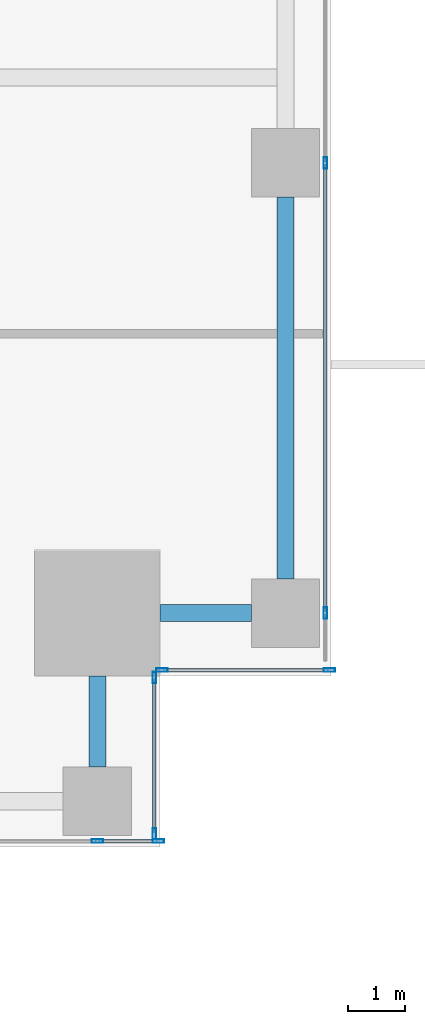
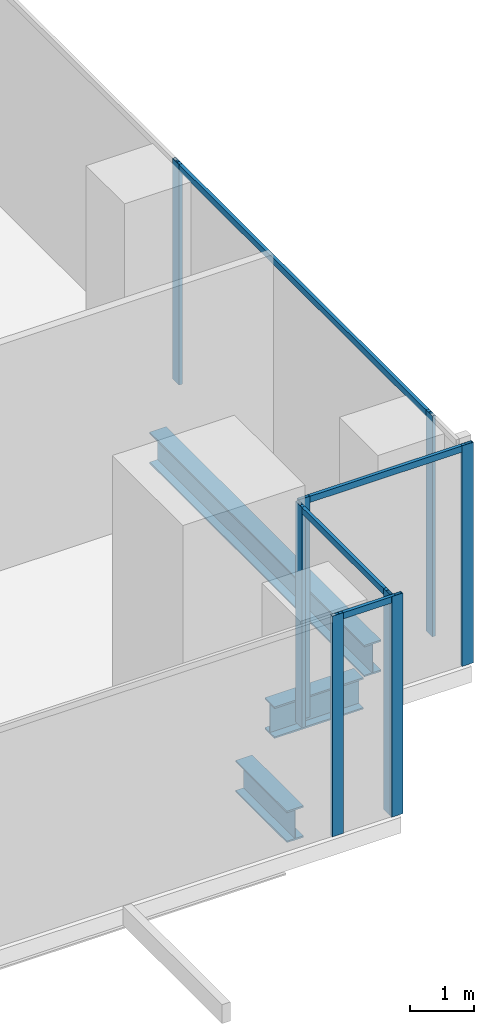
# One storey, part 9 of 33: 12 members, 3 beams, 4 elements without a shape of their own.
"""IFC4 building model written with IfcOpenShell, lengths in metres."""

from ifc_helpers import new_model, si_unit, direction, frame, origin, origin_2d, place, context, subcontext, project, spatial, hollow_rectangle, i_section, extrude, source, transform, mapped, material, material_profile, profile_set, type_object, element, aggregate, save


model = new_model("IFC4")

# Units and contexts
model_context = context("Model", 3, precision=1e-05, world=origin(), true_north=direction((0.0, 1.0)))
body_context = subcontext(model_context, "Body", "Model", "MODEL_VIEW")
ifc_project = project(units=[si_unit("LENGTHUNIT", "METRE"), si_unit("AREAUNIT", "SQUARE_METRE"), si_unit("VOLUMEUNIT", "CUBIC_METRE"), si_unit("PLANEANGLEUNIT", "RADIAN"), si_unit("MASSUNIT", "GRAM", prefix="KILO")], contexts=[model_context])

# Site, building, storey
site_placement = place(None, origin())
site = spatial("IfcSite", under=ifc_project, at=site_placement, CompositionType="ELEMENT")
building_placement = place(site_placement, origin())
building = spatial("IfcBuilding", under=site, at=building_placement, Name="Khomas Fold Tower", CompositionType="ELEMENT")
storey_placement = place(building_placement, frame((0.0, 0.0, 82.5)))
storey = spatial("IfcBuildingStorey", under=building, at=storey_placement, Name="L17", CompositionType="ELEMENT", Elevation=82.5)

# Beams
ifc_material_1 = material(Name="Steel S355", Category="steel")
ifc_material_profile_1 = material_profile(ifc_material_1, i_section(OverallWidth=0.300048828125, OverallDepth=0.60009765625, WebThickness=0.015380859375, FlangeThickness=0.030029296875, at=origin_2d()), Name="HE 600 B")
ifc_profile_set_1 = profile_set([ifc_material_profile_1], Name="Steel S355")
beam_type = type_object("IfcBeamType", Name="HE 600 B spandrel SB1", PredefinedType="SPANDREL", material=ifc_profile_set_1)
shared_shape_1 = source(origin(), body_context, "Body", "SweptSolid", [
    extrude(i_section(OverallWidth=0.300048828125, OverallDepth=0.60009765625, WebThickness=0.015380859375, FlangeThickness=0.030029296875, at=origin_2d()), origin(), (0.0, 0.0, 1.0), 6.699951171875),
])
beam_placement = place(storey_placement, frame((53.199951171875, 4.699951171875, -0.60009765625), z_axis=(0.0, 1.0, 0.0), x_axis=(-1.0, 0.0, 0.0)))
element("IfcBeam", 1, at=beam_placement, inside=storey, type_object=beam_type, Name="SB1", PredefinedType="SPANDREL", context=body_context, shape_type="MappedRepresentation", body=[
    mapped(shared_shape_1, transform((0.0, 0.0, 0.0))),
])
shared_shape_2 = source(origin(), body_context, "Body", "SweptSolid", [
    extrude(i_section(OverallWidth=0.300048828125, OverallDepth=0.60009765625, WebThickness=0.015380859375, FlangeThickness=0.030029296875, at=origin_2d()), origin(), (0.0, 0.0, 1.0), 1.60009765625),
])
for number, where, z_axis, x_axis, name in (
    (2, (49.89990234375, 1.39990234375, -0.60009765625), (0.0, 1.0, 0.0), (-1.0, 0.0, 0.0), "SB1"),
    (3, (51.0, 4.10009765625, -0.60009765625), (1.0, 0.0, 0.0), (0.0, 1.0, 0.0), "SB1"),
):
    element("IfcBeam", number, at=place(storey_placement, frame(where, z_axis=z_axis, x_axis=x_axis)), inside=storey, type_object=beam_type, Name=name, PredefinedType="SPANDREL", context=body_context, shape_type="MappedRepresentation", body=[
        mapped(shared_shape_2, transform((0.0, 0.0, 0.0))),
    ])

# Curtain wall, member
ifc_material_2 = material(Name="Aluminium framed double glazing", Category="aluminium")
curtain_wall_type = type_object("IfcCurtainWallType", Name="SK-Unitised clear-glass wall, growing floors CW1", PredefinedType="NOTDEFINED", material=ifc_material_2)
curtain_wall_1_placement = place(storey_placement, origin())
curtain_wall_1 = element("IfcCurtainWall", 4, at=curtain_wall_1_placement, inside=storey, type_object=curtain_wall_type, Name="CW1 run L17 03-0", PredefinedType="NOTDEFINED")
ifc_material_3 = material(Name="Aluminium", Category="aluminium")
ifc_material_profile_2 = material_profile(ifc_material_3, hollow_rectangle(XDim=0.06005859375, YDim=0.1201171875, WallThickness=0.00390625, at=origin_2d()), Name="SK-Unitised clear-glass wall, growing floors transom CW1-T")
ifc_profile_set_2 = profile_set([ifc_material_profile_2], Name="Aluminium")
member_type_1 = type_object("IfcMemberType", Name="SK-Unitised clear-glass wall, growing floors transom CW1-T", PredefinedType="USERDEFINED", material=ifc_profile_set_2)
shared_shape_3 = source(origin(), body_context, "Body", "SweptSolid", [
    extrude(hollow_rectangle(XDim=0.06005859375, YDim=0.1201171875, WallThickness=0.00390625, at=origin_2d()), origin(), (0.0, 0.0, 1.0), 7.840087890625),
])
member_1_placement = place(storey_placement, frame((53.89990234375, 4.1298828125, 4.139892578125), z_axis=(0.0, 1.0, 0.0), x_axis=(-1.0, 0.0, 0.0)))
member_1 = element("IfcMember", 5, at=member_1_placement, type_object=member_type_1, Name="CW1 transom 2", ObjectType="TRANSOM", PredefinedType="USERDEFINED", context=body_context, shape_type="MappedRepresentation", body=[
    mapped(shared_shape_3, transform((0.0, 0.0, 0.0))),
])

curtain_wall_2_placement = place(storey_placement, origin())
curtain_wall_2 = element("IfcCurtainWall", 6, at=curtain_wall_2_placement, inside=storey, type_object=curtain_wall_type, Name="CW1 run L17 00-0", PredefinedType="NOTDEFINED")
shared_shape_4 = source(origin(), body_context, "Body", "SweptSolid", [
    extrude(hollow_rectangle(XDim=0.06005859375, YDim=0.1201171875, WallThickness=0.00390625, at=origin_2d()), origin(), (0.0, 0.0, 1.0), 1.010009765625),
])
member_2_placement = place(storey_placement, frame((49.929931640625, 0.10009765625, 4.139892578125), z_axis=(1.0, 0.0, 0.0), x_axis=(0.0, 1.0, 0.0)))
member_2 = element("IfcMember", 7, at=member_2_placement, type_object=member_type_1, Name="CW1 transom 8", ObjectType="TRANSOM", PredefinedType="USERDEFINED", context=body_context, shape_type="MappedRepresentation", body=[
    mapped(shared_shape_4, transform((0.0, 0.0, 0.0))),
])

curtain_wall_3_placement = place(storey_placement, origin())
curtain_wall_3 = element("IfcCurtainWall", 8, at=curtain_wall_3_placement, inside=storey, type_object=curtain_wall_type, Name="CW1 corner return L17 01", PredefinedType="NOTDEFINED")
shared_shape_5 = source(origin(), body_context, "Body", "SweptSolid", [
    extrude(hollow_rectangle(XDim=0.06005859375, YDim=0.1201171875, WallThickness=0.00390625, at=origin_2d()), origin(), (0.0, 0.0, 1.0), 2.679931640625),
])
member_3_placement = place(storey_placement, frame((50.89990234375, 0.260009765625, 4.139892578125), z_axis=(0.0, 1.0, 0.0), x_axis=(-1.0, 0.0, 0.0)))
member_3 = element("IfcMember", 9, at=member_3_placement, type_object=member_type_1, Name="CW1 transom 1", ObjectType="TRANSOM", PredefinedType="USERDEFINED", context=body_context, shape_type="MappedRepresentation", body=[
    mapped(shared_shape_5, transform((0.0, 0.0, 0.0))),
])

curtain_wall_4_placement = place(storey_placement, origin())
curtain_wall_4 = element("IfcCurtainWall", 10, at=curtain_wall_4_placement, inside=storey, type_object=curtain_wall_type, Name="CW1 corner return L17 02", PredefinedType="NOTDEFINED")
shared_shape_6 = source(origin(), body_context, "Body", "SweptSolid", [
    extrude(hollow_rectangle(XDim=0.06005859375, YDim=0.1201171875, WallThickness=0.00390625, at=origin_2d()), origin(), (0.0, 0.0, 1.0), 2.8798828125),
])
member_4_placement = place(storey_placement, frame((51.06005859375, 3.10009765625, 4.139892578125), z_axis=(1.0, 0.0, 0.0), x_axis=(0.0, 1.0, 0.0)))
member_4 = element("IfcMember", 11, at=member_4_placement, type_object=member_type_1, Name="CW1 transom 1", ObjectType="TRANSOM", PredefinedType="USERDEFINED", context=body_context, shape_type="MappedRepresentation", body=[
    mapped(shared_shape_6, transform((0.0, 0.0, 0.0))),
])

# Member
ifc_material_4 = material(Name="Aluminium", Category="aluminium")
ifc_material_profile_3 = material_profile(ifc_material_4, hollow_rectangle(XDim=0.06005859375, YDim=0.199951171875, WallThickness=0.00390625, at=origin_2d()), Name="SK-Unitised clear-glass wall, growing floors mullion CW1-M")
ifc_profile_set_3 = profile_set([ifc_material_profile_3], Name="Aluminium")
member_type_2 = type_object("IfcMemberType", Name="SK-Unitised clear-glass wall, growing floors mullion CW1-M", PredefinedType="MULLION", material=ifc_profile_set_3)
shared_shape_7 = source(origin(), body_context, "Body", "SweptSolid", [
    extrude(hollow_rectangle(XDim=0.06005859375, YDim=0.199951171875, WallThickness=0.00390625, at=origin_2d()), origin(), (0.0, 0.0, 1.0), 4.199951171875),
])
member_5_placement = place(storey_placement, frame((49.89990234375, 0.10009765625, 0.0), z_axis=(0.0, 0.0, 1.0), x_axis=(0.0, 1.0, 0.0)))
member_5 = element("IfcMember", 12, at=member_5_placement, type_object=member_type_2, Name="CW1 mullion 8", PredefinedType="MULLION", context=body_context, shape_type="MappedRepresentation", body=[
    mapped(shared_shape_7, transform((0.0, 0.0, 0.0))),
])

member_6_placement = place(storey_placement, frame((50.969970703125, 0.10009765625, 0.0), z_axis=(0.0, 0.0, 1.0), x_axis=(0.0, 1.0, 0.0)))
member_6 = element("IfcMember", 13, at=member_6_placement, type_object=member_type_2, Name="CW1 mullion 9", PredefinedType="MULLION", context=body_context, shape_type="MappedRepresentation", body=[
    mapped(shared_shape_7, transform((0.0, 0.0, 0.0))),
])

aggregate(curtain_wall_2, [member_5, member_6, member_2])

member_7_placement = place(storey_placement, frame((50.89990234375, 0.22998046875, 0.0), z_axis=(0.0, 0.0, 1.0), x_axis=(-1.0, 0.0, 0.0)))
member_7 = element("IfcMember", 14, at=member_7_placement, type_object=member_type_2, Name="CW1 mullion 1", PredefinedType="MULLION", context=body_context, shape_type="MappedRepresentation", body=[
    mapped(shared_shape_7, transform((0.0, 0.0, 0.0))),
])

member_8_placement = place(storey_placement, frame((50.89990234375, 2.969970703125, 0.0), z_axis=(0.0, 0.0, 1.0), x_axis=(-1.0, 0.0, 0.0)))
member_8 = element("IfcMember", 15, at=member_8_placement, type_object=member_type_2, Name="CW1 mullion 2", PredefinedType="MULLION", context=body_context, shape_type="MappedRepresentation", body=[
    mapped(shared_shape_7, transform((0.0, 0.0, 0.0))),
])

aggregate(curtain_wall_3, [member_7, member_8, member_3])

member_9_placement = place(storey_placement, frame((51.030029296875, 3.10009765625, 0.0), z_axis=(0.0, 0.0, 1.0), x_axis=(0.0, 1.0, 0.0)))
member_9 = element("IfcMember", 16, at=member_9_placement, type_object=member_type_2, Name="CW1 mullion 1", PredefinedType="MULLION", context=body_context, shape_type="MappedRepresentation", body=[
    mapped(shared_shape_7, transform((0.0, 0.0, 0.0))),
])

member_10_placement = place(storey_placement, frame((53.969970703125, 3.10009765625, 0.0), z_axis=(0.0, 0.0, 1.0), x_axis=(0.0, 1.0, 0.0)))
member_10 = element("IfcMember", 17, at=member_10_placement, type_object=member_type_2, Name="CW1 mullion 2", PredefinedType="MULLION", context=body_context, shape_type="MappedRepresentation", body=[
    mapped(shared_shape_7, transform((0.0, 0.0, 0.0))),
])

aggregate(curtain_wall_4, [member_9, member_10, member_4])

member_11_placement = place(storey_placement, frame((53.89990234375, 4.10009765625, 0.0), z_axis=(0.0, 0.0, 1.0), x_axis=(-1.0, 0.0, 0.0)))
member_11 = element("IfcMember", 18, at=member_11_placement, type_object=member_type_2, Name="CW1 mullion 2", PredefinedType="MULLION", context=body_context, shape_type="MappedRepresentation", body=[
    mapped(shared_shape_7, transform((0.0, 0.0, 0.0))),
])

member_12_placement = place(storey_placement, frame((53.89990234375, 12.0, 0.0), z_axis=(0.0, 0.0, 1.0), x_axis=(-1.0, 0.0, 0.0)))
member_12 = element("IfcMember", 19, at=member_12_placement, type_object=member_type_2, Name="CW1 mullion 3", PredefinedType="MULLION", context=body_context, shape_type="MappedRepresentation", body=[
    mapped(shared_shape_7, transform((0.0, 0.0, 0.0))),
])

aggregate(curtain_wall_1, [member_11, member_12, member_1])

save(model, "model.ifc")
